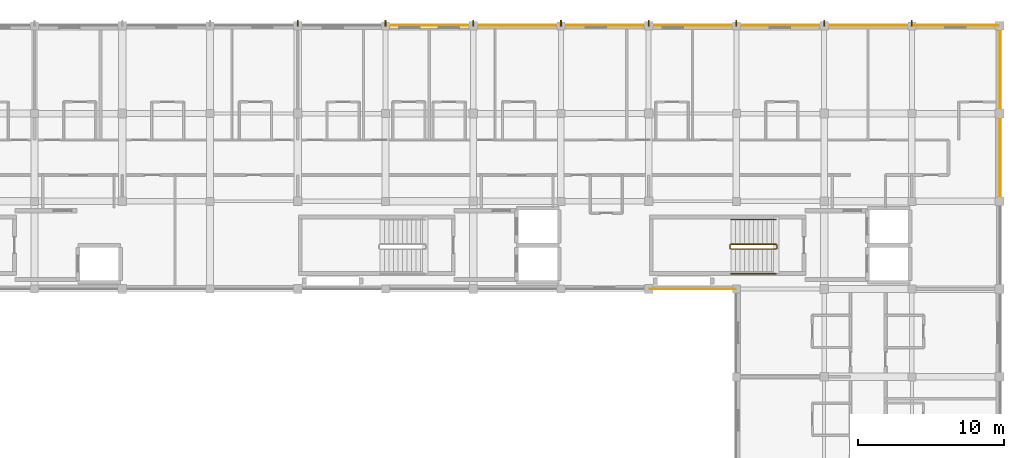
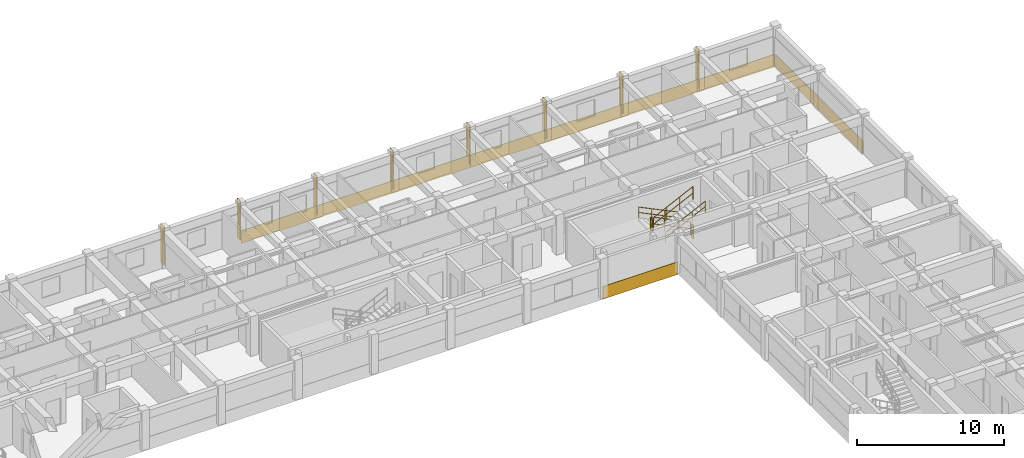
# One storey, part 22 of 22: 8 shading devices, 6 railings, 5 coverings.
"""IFC4 building model written with IfcOpenShell, lengths in metres."""

from ifc_helpers import new_model, si_unit, direction, frame, origin, origin_2d, place, context, subcontext, project, spatial, polyline, rectangle, circle, outline, extrude, material, layer, layer_set, type_object, element, save


model = new_model("IFC4")

# Units and contexts
model_context = context("Model", 3, precision=1e-05, world=origin(), true_north=direction((0.0, 1.0)))
body_context = subcontext(model_context, "Body", "Model", "MODEL_VIEW")
ifc_project = project(units=[si_unit("LENGTHUNIT", "METRE"), si_unit("AREAUNIT", "SQUARE_METRE"), si_unit("VOLUMEUNIT", "CUBIC_METRE"), si_unit("PLANEANGLEUNIT", "RADIAN"), si_unit("MASSUNIT", "GRAM", prefix="KILO"), si_unit("THERMODYNAMICTEMPERATUREUNIT", "KELVIN"), si_unit("POWERUNIT", "WATT")], contexts=[model_context])

# Site, building, storey
site_placement = place(None, origin())
site = spatial("IfcSite", under=ifc_project, at=site_placement, CompositionType="ELEMENT")
building_placement = place(site_placement, origin())
building = spatial("IfcBuilding", under=site, at=building_placement, Name="Phaisarnlok Congress Hotel", CompositionType="ELEMENT")
storey_placement = place(building_placement, frame((0.0, 0.0, 28.199951171875)))
storey = spatial("IfcBuildingStorey", under=building, at=storey_placement, Name="L06", CompositionType="ELEMENT", Elevation=28.199951171875)

# Coverings
ifc_material_1 = material(Name="Anodised Silver Aluminium Alloy 6063-T6", Category="aluminium")
ifc_layer_1 = layer(ifc_material_1, 0.031982421875, Name="Anodised Silver Aluminium Alloy 6063-T6")
ifc_layer_set_1 = layer_set([ifc_layer_1], Name="Anodised Silver Aluminium Alloy 6063-T6")
covering_type = type_object("IfcCoveringType", Name="COV-SPAND-ALU", PredefinedType="CLADDING", material=ifc_layer_set_1)
for number, where, z_axis, x_axis, name in (
    (1, (156.06005859375, 125.9951171875, -0.280029296875), (0.0, 1.0, 0.0), (-1.0, 0.0, 0.0), "Swiss minimalist anodised silver rainscreen band CL-02 (L06 N)"),
    (2, (174.06005859375, 125.9951171875, -0.280029296875), (0.0, 1.0, 0.0), (-1.0, 0.0, 0.0), "Swiss minimalist anodised silver rainscreen band CL-02 (L06 N)"),
):
    element("IfcCovering", number, at=place(storey_placement, frame(where, z_axis=z_axis, x_axis=x_axis)), inside=storey, type_object=covering_type, Name=name, PredefinedType="CLADDING", context=body_context, shape_type="SweptSolid", body=[
        extrude(outline(polyline([(0.0, 0.0), (18.0, 0.0), (18.0, 1.050048828125), (0.0, 1.050048828125), (0.0, 0.0)])), origin(), (0.0, 0.0, 1.0), 0.031982421875),
    ])
covering_1_placement = place(storey_placement, frame((179.93994140625, 125.9951171875, -0.280029296875), z_axis=(0.0, 1.0, 0.0), x_axis=(-1.0, 0.0, 0.0)))
element("IfcCovering", 3, at=covering_1_placement, inside=storey, type_object=covering_type, Name="Swiss minimalist anodised silver rainscreen band CL-02 (L06 N)", PredefinedType="CLADDING", context=body_context, shape_type="SweptSolid", body=[
    extrude(outline(polyline([(0.0, 0.0), (5.8798828125, 0.0), (5.8798828125, 1.050048828125), (0.0, 1.050048828125), (0.0, 0.0)])), origin(), (0.0, 0.0, 1.0), 0.031982421875),
])
covering_2_placement = place(storey_placement, frame((179.9951171875, 114.06005859375, -0.280029296875), z_axis=(1.0, 0.0, 0.0), x_axis=(0.0, 1.0, 0.0)))
element("IfcCovering", 4, at=covering_2_placement, inside=storey, type_object=covering_type, Name="Swiss minimalist anodised silver rainscreen band CL-02 (L06 E)", PredefinedType="CLADDING", context=body_context, shape_type="SweptSolid", body=[
    extrude(outline(polyline([(0.0, 0.0), (11.8798828125, 0.0), (11.8798828125, 1.050048828125), (0.0, 1.050048828125), (0.0, 0.0)])), origin(), (0.0, 0.0, 1.0), 0.031982421875),
])
covering_3_placement = place(storey_placement, frame((156.06005859375, 108.0048828125, -0.280029296875), z_axis=(0.0, -1.0, 0.0), x_axis=(1.0, 0.0, 0.0)))
element("IfcCovering", 5, at=covering_3_placement, inside=storey, type_object=covering_type, Name="Swiss minimalist anodised silver rainscreen band CL-02 (L06 S)", PredefinedType="CLADDING", context=body_context, shape_type="SweptSolid", body=[
    extrude(outline(polyline([(0.0, 0.0), (5.8798828125, 0.0), (5.8798828125, 1.050048828125), (0.0, 1.050048828125), (0.0, 0.0)])), origin(), (0.0, 0.0, 1.0), 0.031982421875),
])

# Railings
ifc_material_2 = material(Name="Painted Galvanised Steel S275", Category="steel")
railing_type_1 = type_object("IfcRailingType", Name="RLG-STR-GUARD", PredefinedType="BALUSTRADE", material=ifc_material_2)
railing_1_placement = place(storey_placement, frame((164.719970703125, 111.070068359375, 0.150146484375)))
element("IfcRailing", 6, at=railing_1_placement, inside=storey, type_object=railing_type_1, Name="L06 ST-05 stair guard 1", PredefinedType="BALUSTRADE", context=body_context, shape_type="SweptSolid", body=[
    extrude(circle(Radius=0.02392578125, at=origin_2d()), frame((0.0, 0.0, 1.076171875), z_axis=(-0.900151181449, 0.0, 0.435577605641), x_axis=(0.0, -1.0, 0.0)), (0.0, 0.0, 1.0), 3.443603515625),
    extrude(circle(Radius=0.02392578125, at=origin_2d()), frame((0.0, 0.0, 0.52587890625), z_axis=(-0.900151181449, 0.0, 0.435577605641), x_axis=(0.0, -1.0, 0.0)), (0.0, 0.0, 1.0), 3.443603515625),
    extrude(circle(Radius=0.02099609375, at=origin_2d()), origin(), (0.0, 0.0, 1.0), 1.052001953125),
    extrude(circle(Radius=0.02099609375, at=origin_2d()), frame((-1.033203125, 0.0, 0.5)), (0.0, 0.0, 1.0), 1.052001953125),
    extrude(circle(Radius=0.02099609375, at=origin_2d()), frame((-2.066650390625, 0.0, 1.0)), (0.0, 0.0, 1.0), 1.052001953125),
    extrude(circle(Radius=0.02099609375, at=origin_2d()), frame((-3.099853515625, 0.0, 1.5)), (0.0, 0.0, 1.0), 1.052001953125),
])
railing_2_placement = place(storey_placement, frame((161.570068359375, 111.02001953125, 1.650146484375)))
element("IfcRailing", 7, at=railing_2_placement, inside=storey, type_object=railing_type_1, Name="L06 ST-05 stair guard 2", PredefinedType="BALUSTRADE", context=body_context, shape_type="SweptSolid", body=[
    extrude(circle(Radius=0.02392578125, at=origin_2d()), frame((0.0, 0.0, 1.076171875), z_axis=(0.0, -1.0, 0.0), x_axis=(1.0, 0.0, 0.0)), (0.0, 0.0, 1.0), 0.239990234375),
    extrude(circle(Radius=0.02392578125, at=origin_2d()), frame((0.0, 0.0, 0.52587890625), z_axis=(0.0, -1.0, 0.0), x_axis=(1.0, 0.0, 0.0)), (0.0, 0.0, 1.0), 0.239990234375),
    extrude(circle(Radius=0.02099609375, at=origin_2d()), origin(), (0.0, 0.0, 1.0), 1.052001953125),
    extrude(circle(Radius=0.02099609375, at=origin_2d()), frame((0.0, -0.239990234375, 0.0)), (0.0, 0.0, 1.0), 1.052001953125),
])
railing_3_placement = place(storey_placement, frame((161.6201171875, 110.72998046875, 1.800048828125)))
element("IfcRailing", 8, at=railing_3_placement, inside=storey, type_object=railing_type_1, Name="L06 ST-05 stair guard 3", PredefinedType="BALUSTRADE", context=body_context, shape_type="SweptSolid", body=[
    extrude(circle(Radius=0.02392578125, at=origin_2d()), frame((0.0, 0.0, 1.076171875), z_axis=(0.900151181449, 0.0, 0.435577605641), x_axis=(0.0, 1.0, 0.0)), (0.0, 0.0, 1.0), 3.443603515625),
    extrude(circle(Radius=0.02392578125, at=origin_2d()), frame((0.0, 0.0, 0.52587890625), z_axis=(0.900151181449, 0.0, 0.435577605641), x_axis=(0.0, 1.0, 0.0)), (0.0, 0.0, 1.0), 3.443603515625),
    extrude(circle(Radius=0.02099609375, at=origin_2d()), origin(), (0.0, 0.0, 1.0), 1.052001953125),
    extrude(circle(Radius=0.02099609375, at=origin_2d()), frame((1.033203125, 0.0, 0.5)), (0.0, 0.0, 1.0), 1.052001953125),
    extrude(circle(Radius=0.02099609375, at=origin_2d()), frame((2.066650390625, 0.0, 1.0)), (0.0, 0.0, 1.0), 1.052001953125),
    extrude(circle(Radius=0.02099609375, at=origin_2d()), frame((3.099853515625, 0.0, 1.5)), (0.0, 0.0, 1.0), 1.052001953125),
])
railing_4_placement = place(storey_placement, frame((164.77001953125, 111.02001953125, 0.0)))
element("IfcRailing", 9, at=railing_4_placement, inside=storey, type_object=railing_type_1, Name="L06 ST-05 stair guard 4", PredefinedType="BALUSTRADE", context=body_context, shape_type="SweptSolid", body=[
    extrude(circle(Radius=0.02392578125, at=origin_2d()), frame((0.0, 0.0, 1.076171875), z_axis=(0.0, -1.0, 0.0), x_axis=(1.0, 0.0, 0.0)), (0.0, 0.0, 1.0), 0.239990234375),
    extrude(circle(Radius=0.02392578125, at=origin_2d()), frame((0.0, 0.0, 0.52587890625), z_axis=(0.0, -1.0, 0.0), x_axis=(1.0, 0.0, 0.0)), (0.0, 0.0, 1.0), 0.239990234375),
    extrude(circle(Radius=0.02099609375, at=origin_2d()), origin(), (0.0, 0.0, 1.0), 1.052001953125),
    extrude(circle(Radius=0.02099609375, at=origin_2d()), frame((0.0, -0.239990234375, 0.0)), (0.0, 0.0, 1.0), 1.052001953125),
])
ifc_material_3 = material(Name="Brushed Stainless Steel Grade 304", Category="steel")
railing_type_2 = type_object("IfcRailingType", Name="RLG-STR-HRAIL", PredefinedType="HANDRAIL", material=ifc_material_3)
railing_5_placement = place(storey_placement, frame((164.719970703125, 112.75, 0.150146484375)))
element("IfcRailing", 10, at=railing_5_placement, inside=storey, type_object=railing_type_2, Name="L06 ST-05 stair handrail 1", PredefinedType="HANDRAIL", context=body_context, shape_type="SweptSolid", body=[
    extrude(circle(Radius=0.02392578125, at=origin_2d()), frame((0.0, 0.0, 0.8759765625), z_axis=(-0.900151181449, 0.0, 0.435577605641), x_axis=(0.0, -1.0, 0.0)), (0.0, 0.0, 1.0), 3.443603515625),
    extrude(circle(Radius=0.02392578125, at=origin_2d()), frame((0.0, 0.0, 0.42578125), z_axis=(-0.900151181449, 0.0, 0.435577605641), x_axis=(0.0, -1.0, 0.0)), (0.0, 0.0, 1.0), 3.443603515625),
    extrude(circle(Radius=0.02099609375, at=origin_2d()), origin(), (0.0, 0.0, 1.0), 0.851806640625),
    extrude(circle(Radius=0.02099609375, at=origin_2d()), frame((-1.033203125, 0.0, 0.5)), (0.0, 0.0, 1.0), 0.851806640625),
    extrude(circle(Radius=0.02099609375, at=origin_2d()), frame((-2.066650390625, 0.0, 1.0)), (0.0, 0.0, 1.0), 0.851806640625),
    extrude(circle(Radius=0.02099609375, at=origin_2d()), frame((-3.099853515625, 0.0, 1.5)), (0.0, 0.0, 1.0), 0.851806640625),
])
railing_6_placement = place(storey_placement, frame((161.6201171875, 109.050048828125, 1.800048828125)))
element("IfcRailing", 11, at=railing_6_placement, inside=storey, type_object=railing_type_2, Name="L06 ST-05 stair handrail 2", PredefinedType="HANDRAIL", context=body_context, shape_type="SweptSolid", body=[
    extrude(circle(Radius=0.02392578125, at=origin_2d()), frame((0.0, 0.0, 0.8759765625), z_axis=(0.900151181449, 0.0, 0.435577605641), x_axis=(0.0, 1.0, 0.0)), (0.0, 0.0, 1.0), 3.443603515625),
    extrude(circle(Radius=0.02392578125, at=origin_2d()), frame((0.0, 0.0, 0.42578125), z_axis=(0.900151181449, 0.0, 0.435577605641), x_axis=(0.0, 1.0, 0.0)), (0.0, 0.0, 1.0), 3.443603515625),
    extrude(circle(Radius=0.02099609375, at=origin_2d()), origin(), (0.0, 0.0, 1.0), 0.851806640625),
    extrude(circle(Radius=0.02099609375, at=origin_2d()), frame((1.033203125, 0.0, 0.5)), (0.0, 0.0, 1.0), 0.851806640625),
    extrude(circle(Radius=0.02099609375, at=origin_2d()), frame((2.066650390625, 0.0, 1.0)), (0.0, 0.0, 1.0), 0.851806640625),
    extrude(circle(Radius=0.02099609375, at=origin_2d()), frame((3.099853515625, 0.0, 1.5)), (0.0, 0.0, 1.0), 0.851806640625),
])

# Shading devices
ifc_material_4 = material(Name="Anodised Champagne Aluminium Alloy 6063", Category="aluminium")
ifc_layer_2 = layer(ifc_material_4, 0.050048828125, Name="Anodised Champagne Aluminium Alloy 6063")
ifc_layer_set_2 = layer_set([ifc_layer_2], Name="Anodised Champagne Aluminium Alloy 6063")
shading_device_type = type_object("IfcShadingDeviceType", Name="SHD-FIN-VERT", PredefinedType="SHUTTER", material=ifc_layer_set_2)
for number, where, z_axis, x_axis, name in (
    (12, (132.0, 126.179931640625, 0.0400390625), (0.0, 0.0, 1.0), (1.0, 0.0, 0.0), "Hotel vertical solar fin SF-01 (L06)"),
    (13, (138.0, 126.179931640625, 0.0400390625), (0.0, 0.0, 1.0), (1.0, 0.0, 0.0), "Hotel vertical solar fin SF-01 (L06)"),
    (14, (144.0, 126.179931640625, 0.0400390625), (0.0, 0.0, 1.0), (1.0, 0.0, 0.0), "Hotel vertical solar fin SF-01 (L06)"),
    (15, (150.0, 126.179931640625, 0.0400390625), (0.0, 0.0, 1.0), (1.0, 0.0, 0.0), "Hotel vertical solar fin SF-01 (L06)"),
    (16, (156.0, 126.179931640625, 0.0400390625), (0.0, 0.0, 1.0), (1.0, 0.0, 0.0), "Hotel vertical solar fin SF-01 (L06)"),
    (17, (162.0, 126.179931640625, 0.0400390625), (0.0, 0.0, 1.0), (1.0, 0.0, 0.0), "Hotel vertical solar fin SF-01 (L06)"),
    (18, (168.0, 126.179931640625, 0.0400390625), (0.0, 0.0, 1.0), (1.0, 0.0, 0.0), "Hotel vertical solar fin SF-01 (L06)"),
    (19, (174.0, 126.179931640625, 0.0400390625), (0.0, 0.0, 1.0), (1.0, 0.0, 0.0), "Hotel vertical solar fin SF-01 (L06)"),
):
    element("IfcShadingDevice", number, at=place(storey_placement, frame(where, z_axis=z_axis, x_axis=x_axis)), inside=storey, type_object=shading_device_type, Name=name, PredefinedType="SHUTTER", context=body_context, shape_type="SweptSolid", body=[
        extrude(rectangle(XDim=0.080078125, YDim=0.43994140625, at=origin_2d()), origin(), (0.0, 0.0, 1.0), 3.219970703125),
    ])

save(model, "model.ifc")
